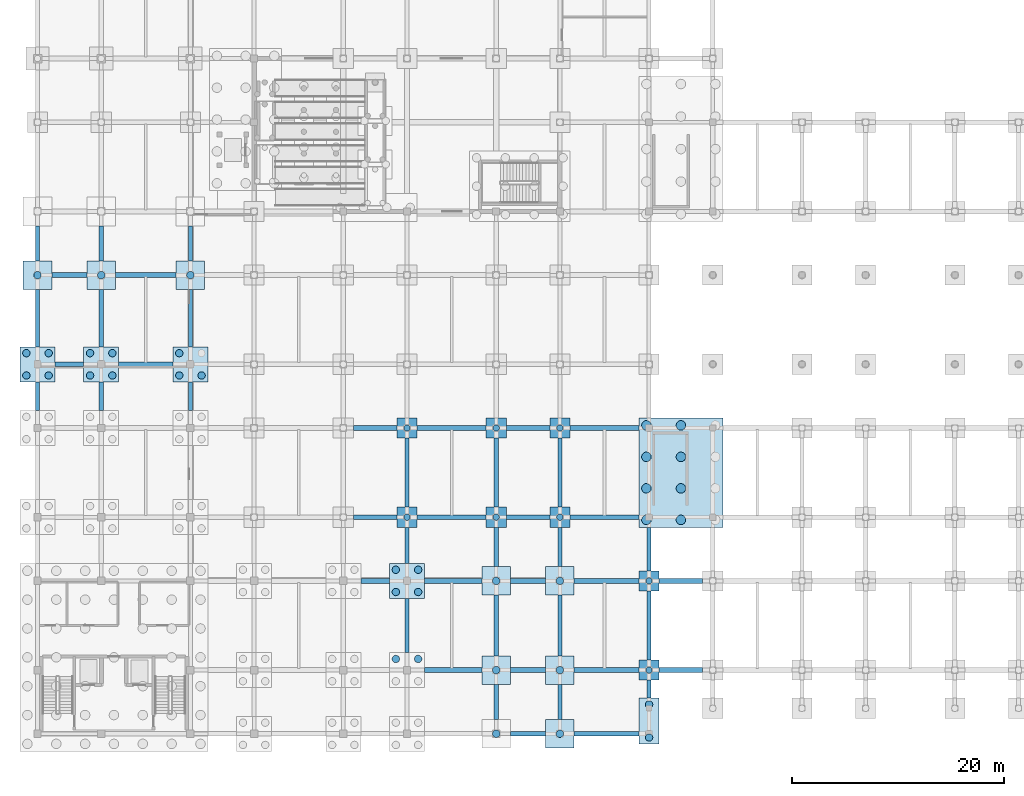
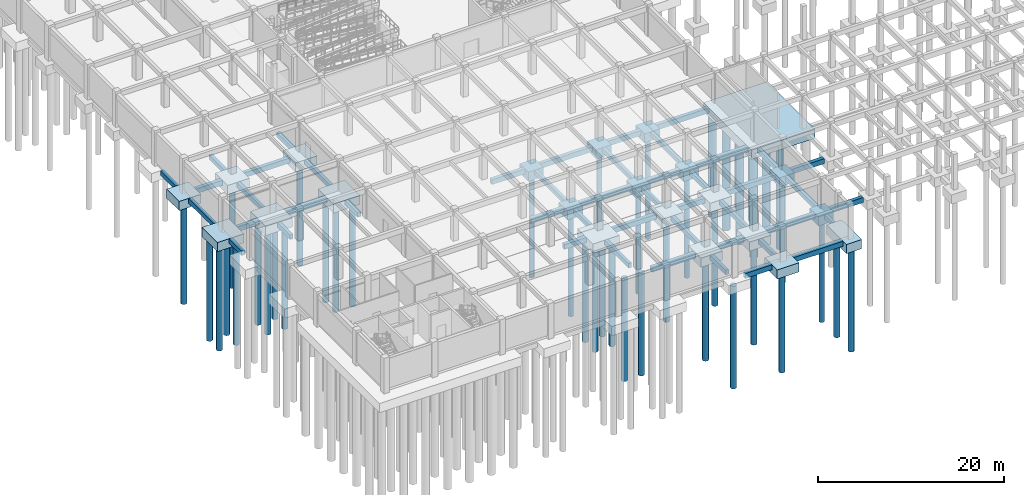
# One storey, part 2 of 40: 68 footings, 44 piles.
"""IFC4 building model written with IfcOpenShell, lengths in metres."""

from ifc_helpers import new_model, si_unit, direction, frame, origin, origin_2d, place, context, subcontext, project, spatial, rectangle, circle, extrude, material, material_profile, profile_set, type_object, element, save


model = new_model("IFC4")

# Units and contexts
model_context = context("Model", 3, precision=1e-05, world=origin(), true_north=direction((0.0, 1.0)))
body_context = subcontext(model_context, "Body", "Model", "MODEL_VIEW")
ifc_project = project(units=[si_unit("LENGTHUNIT", "METRE"), si_unit("AREAUNIT", "SQUARE_METRE"), si_unit("VOLUMEUNIT", "CUBIC_METRE"), si_unit("PLANEANGLEUNIT", "RADIAN"), si_unit("MASSUNIT", "GRAM", prefix="KILO"), si_unit("THERMODYNAMICTEMPERATUREUNIT", "KELVIN")], contexts=[model_context])

# Site, building, storey
site_placement = place(None, origin())
site = spatial("IfcSite", under=ifc_project, at=site_placement, CompositionType="ELEMENT")
building_placement = place(site_placement, origin())
building = spatial("IfcBuilding", under=site, at=building_placement, Name="Thalorik Housing Commons", CompositionType="ELEMENT")
storey_placement = place(building_placement, frame((0.0, 0.0, -4.199951171875)))
storey = spatial("IfcBuildingStorey", under=building, at=storey_placement, Name="B1", CompositionType="ELEMENT", Elevation=-4.199951171875)

# Footings
ifc_material = material(Name="Concrete C40/50", Category="concrete")
footing_type_1 = type_object("IfcFootingType", Name="STR-CAP-1900x1900", PredefinedType="PILE_CAP", material=ifc_material)
for number, where, z_axis, x_axis, name in (
    (1, (66.0, 14.39990234375, -1.64990234375), (0.0, 0.0, 1.0), (1.0, 0.0, 0.0), "B1 Pile Cap 26"),
    (2, (66.0, 22.800048828125, -1.64990234375), (0.0, 0.0, 1.0), (1.0, 0.0, 0.0), "B1 Pile Cap 43"),
    (3, (43.199951171875, 28.800048828125, -1.64990234375), (0.0, 0.0, 1.0), (1.0, 0.0, 0.0), "B1 Pile Cap 63"),
    (4, (51.60009765625, 28.800048828125, -1.64990234375), (0.0, 0.0, 1.0), (1.0, 0.0, 0.0), "B1 Pile Cap 64"),
    (5, (57.60009765625, 28.800048828125, -1.64990234375), (0.0, 0.0, 1.0), (1.0, 0.0, 0.0), "B1 Pile Cap 65"),
    (6, (43.199951171875, 37.199951171875, -1.64990234375), (0.0, 0.0, 1.0), (1.0, 0.0, 0.0), "B1 Pile Cap 88"),
    (7, (51.60009765625, 37.199951171875, -1.64990234375), (0.0, 0.0, 1.0), (1.0, 0.0, 0.0), "B1 Pile Cap 89"),
    (8, (57.60009765625, 37.199951171875, -1.64990234375), (0.0, 0.0, 1.0), (1.0, 0.0, 0.0), "B1 Pile Cap 90"),
):
    element("IfcFooting", number, at=place(storey_placement, frame(where, z_axis=z_axis, x_axis=x_axis)), inside=storey, type_object=footing_type_1, Name=name, PredefinedType="PILE_CAP", context=body_context, shape_type="SweptSolid", body=[
        extrude(rectangle(XDim=1.89990234375, YDim=1.89990234375, at=origin_2d()), origin(), (0.0, 0.0, 1.0), 1.199951171875),
    ])
footing_type_2 = type_object("IfcFootingType", Name="STR-CAP-1900x4300", PredefinedType="PILE_CAP", material=ifc_material)
footing_1_placement = place(storey_placement, frame((66.0, 9.60009765625, -1.64990234375), z_axis=(0.0, 0.0, 1.0), x_axis=(1.0, 0.0, 0.0)))
element("IfcFooting", 9, at=footing_1_placement, inside=storey, type_object=footing_type_2, Name="B1 Pile Cap 7", PredefinedType="PILE_CAP", context=body_context, shape_type="SweptSolid", body=[
    extrude(rectangle(XDim=1.89990234375, YDim=4.300048828125, at=origin_2d()), origin(), (0.0, 0.0, 1.0), 1.199951171875),
])
footing_type_3 = type_object("IfcFootingType", Name="STR-CAP-2700x2700", PredefinedType="PILE_CAP", material=ifc_material)
for number, where, z_axis, x_axis, name in (
    (10, (57.60009765625, 8.39990234375, -1.64990234375), (0.0, 0.0, 1.0), (1.0, 0.0, 0.0), "B1 Pile Cap 6"),
    (11, (51.60009765625, 14.39990234375, -1.64990234375), (0.0, 0.0, 1.0), (1.0, 0.0, 0.0), "B1 Pile Cap 24"),
    (12, (57.60009765625, 14.39990234375, -1.64990234375), (0.0, 0.0, 1.0), (1.0, 0.0, 0.0), "B1 Pile Cap 25"),
    (13, (51.60009765625, 22.800048828125, -1.64990234375), (0.0, 0.0, 1.0), (1.0, 0.0, 0.0), "B1 Pile Cap 41"),
    (14, (57.60009765625, 22.800048828125, -1.64990234375), (0.0, 0.0, 1.0), (1.0, 0.0, 0.0), "B1 Pile Cap 42"),
    (15, (8.39990234375, 51.60009765625, -1.64990234375), (0.0, 0.0, 1.0), (1.0, 0.0, 0.0), "B1 Pile Cap 110"),
    (16, (14.39990234375, 51.60009765625, -1.64990234375), (0.0, 0.0, 1.0), (1.0, 0.0, 0.0), "B1 Pile Cap 111"),
    (17, (22.800048828125, 51.60009765625, -1.64990234375), (0.0, 0.0, 1.0), (1.0, 0.0, 0.0), "B1 Pile Cap 112"),
):
    element("IfcFooting", number, at=place(storey_placement, frame(where, z_axis=z_axis, x_axis=x_axis)), inside=storey, type_object=footing_type_3, Name=name, PredefinedType="PILE_CAP", context=body_context, shape_type="SweptSolid", body=[
        extrude(rectangle(XDim=2.699951171875, YDim=2.699951171875, at=origin_2d()), origin(), (0.0, 0.0, 1.0), 1.199951171875),
    ])
footing_type_4 = type_object("IfcFootingType", Name="STR-CAP-3300x3300", PredefinedType="PILE_CAP", material=ifc_material)
for number, where, z_axis, x_axis, name in (
    (18, (43.199951171875, 22.800048828125, -1.64990234375), (0.0, 0.0, 1.0), (1.0, 0.0, 0.0), "B1 Pile Cap 40"),
    (19, (8.39990234375, 43.199951171875, -1.64990234375), (0.0, 0.0, 1.0), (1.0, 0.0, 0.0), "B1 Pile Cap 95"),
    (20, (14.39990234375, 43.199951171875, -1.64990234375), (0.0, 0.0, 1.0), (1.0, 0.0, 0.0), "B1 Pile Cap 96"),
    (21, (22.800048828125, 43.199951171875, -1.64990234375), (0.0, 0.0, 1.0), (1.0, 0.0, 0.0), "B1 Pile Cap 97"),
):
    element("IfcFooting", number, at=place(storey_placement, frame(where, z_axis=z_axis, x_axis=x_axis)), inside=storey, type_object=footing_type_4, Name=name, PredefinedType="PILE_CAP", context=body_context, shape_type="SweptSolid", body=[
        extrude(rectangle(XDim=3.300048828125, YDim=3.300048828125, at=origin_2d()), origin(), (0.0, 0.0, 1.0), 1.199951171875),
    ])
footing_type_5 = type_object("IfcFootingType", Name="STR-CAP-7900x10300", PredefinedType="PILE_CAP", material=ifc_material)
footing_2_placement = place(storey_placement, frame((69.0, 33.0, -1.64990234375), z_axis=(0.0, 0.0, 1.0), x_axis=(1.0, 0.0, 0.0)))
element("IfcFooting", 22, at=footing_2_placement, inside=storey, type_object=footing_type_5, Name="B1 Pile Cap 66", PredefinedType="PILE_CAP", context=body_context, shape_type="SweptSolid", body=[
    extrude(rectangle(XDim=7.89990234375, YDim=10.300048828125, at=origin_2d()), origin(), (0.0, 0.0, 1.0), 1.199951171875),
])
ifc_material_profile_1 = material_profile(ifc_material, rectangle(XDim=0.39990234375, YDim=0.60009765625, at=origin_2d()), Name="RC 400x600", Category="concrete")
ifc_profile_set_1 = profile_set([ifc_material_profile_1], Name="Concrete C40/50")
footing_type_6 = type_object("IfcFootingType", Name="STR-GB-400", PredefinedType="FOOTING_BEAM", material=ifc_profile_set_1)
footing_3_placement = place(storey_placement, frame((8.39990234375, 38.85009765625, -0.75), z_axis=(0.0, 1.0, 0.0), x_axis=(-1.0, 0.0, 0.0)))
element("IfcFooting", 23, at=footing_3_placement, inside=storey, type_object=footing_type_6, Name="B1 Ground Tie-Beam Y 265", PredefinedType="FOOTING_BEAM", context=body_context, shape_type="SweptSolid", body=[
    extrude(rectangle(XDim=0.39990234375, YDim=0.60009765625, at=origin_2d()), origin(), (0.0, 0.0, 1.0), 2.699951171875),
])
footing_4_placement = place(storey_placement, frame((8.39990234375, 44.85009765625, -0.75), z_axis=(0.0, 1.0, 0.0), x_axis=(-1.0, 0.0, 0.0)))
element("IfcFooting", 24, at=footing_4_placement, inside=storey, type_object=footing_type_6, Name="B1 Ground Tie-Beam Y 266", PredefinedType="FOOTING_BEAM", context=body_context, shape_type="SweptSolid", body=[
    extrude(rectangle(XDim=0.39990234375, YDim=0.60009765625, at=origin_2d()), origin(), (0.0, 0.0, 1.0), 5.39990234375),
])
footing_5_placement = place(storey_placement, frame((8.39990234375, 52.949951171875, -0.75), z_axis=(0.0, 1.0, 0.0), x_axis=(-1.0, 0.0, 0.0)))
element("IfcFooting", 25, at=footing_5_placement, inside=storey, type_object=footing_type_6, Name="B1 Ground Tie-Beam Y 267", PredefinedType="FOOTING_BEAM", context=body_context, shape_type="SweptSolid", body=[
    extrude(rectangle(XDim=0.39990234375, YDim=0.60009765625, at=origin_2d()), origin(), (0.0, 0.0, 1.0), 3.300048828125),
])
footing_6_placement = place(storey_placement, frame((14.39990234375, 38.85009765625, -0.75), z_axis=(0.0, 1.0, 0.0), x_axis=(-1.0, 0.0, 0.0)))
element("IfcFooting", 26, at=footing_6_placement, inside=storey, type_object=footing_type_6, Name="B1 Ground Tie-Beam Y 277", PredefinedType="FOOTING_BEAM", context=body_context, shape_type="SweptSolid", body=[
    extrude(rectangle(XDim=0.39990234375, YDim=0.60009765625, at=origin_2d()), origin(), (0.0, 0.0, 1.0), 2.699951171875),
])
footing_7_placement = place(storey_placement, frame((14.39990234375, 44.85009765625, -0.75), z_axis=(0.0, 1.0, 0.0), x_axis=(-1.0, 0.0, 0.0)))
element("IfcFooting", 27, at=footing_7_placement, inside=storey, type_object=footing_type_6, Name="B1 Ground Tie-Beam Y 278", PredefinedType="FOOTING_BEAM", context=body_context, shape_type="SweptSolid", body=[
    extrude(rectangle(XDim=0.39990234375, YDim=0.60009765625, at=origin_2d()), origin(), (0.0, 0.0, 1.0), 5.39990234375),
])
footing_8_placement = place(storey_placement, frame((14.39990234375, 52.949951171875, -0.75), z_axis=(0.0, 1.0, 0.0), x_axis=(-1.0, 0.0, 0.0)))
element("IfcFooting", 28, at=footing_8_placement, inside=storey, type_object=footing_type_6, Name="B1 Ground Tie-Beam Y 279", PredefinedType="FOOTING_BEAM", context=body_context, shape_type="SweptSolid", body=[
    extrude(rectangle(XDim=0.39990234375, YDim=0.60009765625, at=origin_2d()), origin(), (0.0, 0.0, 1.0), 3.300048828125),
])
footing_9_placement = place(storey_placement, frame((22.800048828125, 38.85009765625, -0.75), z_axis=(0.0, 1.0, 0.0), x_axis=(-1.0, 0.0, 0.0)))
element("IfcFooting", 29, at=footing_9_placement, inside=storey, type_object=footing_type_6, Name="B1 Ground Tie-Beam Y 289", PredefinedType="FOOTING_BEAM", context=body_context, shape_type="SweptSolid", body=[
    extrude(rectangle(XDim=0.39990234375, YDim=0.60009765625, at=origin_2d()), origin(), (0.0, 0.0, 1.0), 2.699951171875),
])
footing_10_placement = place(storey_placement, frame((22.800048828125, 44.85009765625, -0.75), z_axis=(0.0, 1.0, 0.0), x_axis=(-1.0, 0.0, 0.0)))
element("IfcFooting", 30, at=footing_10_placement, inside=storey, type_object=footing_type_6, Name="B1 Ground Tie-Beam Y 290", PredefinedType="FOOTING_BEAM", context=body_context, shape_type="SweptSolid", body=[
    extrude(rectangle(XDim=0.39990234375, YDim=0.60009765625, at=origin_2d()), origin(), (0.0, 0.0, 1.0), 5.39990234375),
])
footing_11_placement = place(storey_placement, frame((22.800048828125, 52.949951171875, -0.75), z_axis=(0.0, 1.0, 0.0), x_axis=(-1.0, 0.0, 0.0)))
element("IfcFooting", 31, at=footing_11_placement, inside=storey, type_object=footing_type_6, Name="B1 Ground Tie-Beam Y 291", PredefinedType="FOOTING_BEAM", context=body_context, shape_type="SweptSolid", body=[
    extrude(rectangle(XDim=0.39990234375, YDim=0.60009765625, at=origin_2d()), origin(), (0.0, 0.0, 1.0), 3.300048828125),
])
footing_12_placement = place(storey_placement, frame((43.199951171875, 16.050048828125, -0.75), z_axis=(0.0, 1.0, 0.0), x_axis=(-1.0, 0.0, 0.0)))
element("IfcFooting", 32, at=footing_12_placement, inside=storey, type_object=footing_type_6, Name="B1 Ground Tie-Beam Y 330", PredefinedType="FOOTING_BEAM", context=body_context, shape_type="SweptSolid", body=[
    extrude(rectangle(XDim=0.39990234375, YDim=0.60009765625, at=origin_2d()), origin(), (0.0, 0.0, 1.0), 5.099853515625),
])
footing_13_placement = place(storey_placement, frame((43.199951171875, 24.449951171875, -0.75), z_axis=(0.0, 1.0, 0.0), x_axis=(-1.0, 0.0, 0.0)))
element("IfcFooting", 33, at=footing_13_placement, inside=storey, type_object=footing_type_6, Name="B1 Ground Tie-Beam Y 331", PredefinedType="FOOTING_BEAM", context=body_context, shape_type="SweptSolid", body=[
    extrude(rectangle(XDim=0.39990234375, YDim=0.60009765625, at=origin_2d()), origin(), (0.0, 0.0, 1.0), 3.400146484375),
])
footing_14_placement = place(storey_placement, frame((43.199951171875, 29.75, -0.75), z_axis=(0.0, 1.0, 0.0), x_axis=(-1.0, 0.0, 0.0)))
element("IfcFooting", 34, at=footing_14_placement, inside=storey, type_object=footing_type_6, Name="B1 Ground Tie-Beam Y 332", PredefinedType="FOOTING_BEAM", context=body_context, shape_type="SweptSolid", body=[
    extrude(rectangle(XDim=0.39990234375, YDim=0.60009765625, at=origin_2d()), origin(), (0.0, 0.0, 1.0), 6.5),
])
footing_15_placement = place(storey_placement, frame((51.60009765625, 9.75, -0.75), z_axis=(0.0, 1.0, 0.0), x_axis=(-1.0, 0.0, 0.0)))
element("IfcFooting", 35, at=footing_15_placement, inside=storey, type_object=footing_type_6, Name="B1 Ground Tie-Beam Y 344", PredefinedType="FOOTING_BEAM", context=body_context, shape_type="SweptSolid", body=[
    extrude(rectangle(XDim=0.39990234375, YDim=0.60009765625, at=origin_2d()), origin(), (0.0, 0.0, 1.0), 3.300048828125),
])
footing_16_placement = place(storey_placement, frame((51.60009765625, 15.75, -0.75), z_axis=(0.0, 1.0, 0.0), x_axis=(-1.0, 0.0, 0.0)))
element("IfcFooting", 36, at=footing_16_placement, inside=storey, type_object=footing_type_6, Name="B1 Ground Tie-Beam Y 345", PredefinedType="FOOTING_BEAM", context=body_context, shape_type="SweptSolid", body=[
    extrude(rectangle(XDim=0.39990234375, YDim=0.60009765625, at=origin_2d()), origin(), (0.0, 0.0, 1.0), 5.699951171875),
])
footing_17_placement = place(storey_placement, frame((51.60009765625, 24.14990234375, -0.75), z_axis=(0.0, 1.0, 0.0), x_axis=(-1.0, 0.0, 0.0)))
element("IfcFooting", 37, at=footing_17_placement, inside=storey, type_object=footing_type_6, Name="B1 Ground Tie-Beam Y 346", PredefinedType="FOOTING_BEAM", context=body_context, shape_type="SweptSolid", body=[
    extrude(rectangle(XDim=0.39990234375, YDim=0.60009765625, at=origin_2d()), origin(), (0.0, 0.0, 1.0), 3.7001953125),
])
footing_18_placement = place(storey_placement, frame((51.60009765625, 29.75, -0.75), z_axis=(0.0, 1.0, 0.0), x_axis=(-1.0, 0.0, 0.0)))
element("IfcFooting", 38, at=footing_18_placement, inside=storey, type_object=footing_type_6, Name="B1 Ground Tie-Beam Y 347", PredefinedType="FOOTING_BEAM", context=body_context, shape_type="SweptSolid", body=[
    extrude(rectangle(XDim=0.39990234375, YDim=0.60009765625, at=origin_2d()), origin(), (0.0, 0.0, 1.0), 6.5),
])
footing_19_placement = place(storey_placement, frame((57.60009765625, 9.75, -0.75), z_axis=(0.0, 1.0, 0.0), x_axis=(-1.0, 0.0, 0.0)))
element("IfcFooting", 39, at=footing_19_placement, inside=storey, type_object=footing_type_6, Name="B1 Ground Tie-Beam Y 359", PredefinedType="FOOTING_BEAM", context=body_context, shape_type="SweptSolid", body=[
    extrude(rectangle(XDim=0.39990234375, YDim=0.60009765625, at=origin_2d()), origin(), (0.0, 0.0, 1.0), 3.300048828125),
])
footing_20_placement = place(storey_placement, frame((57.60009765625, 15.75, -0.75), z_axis=(0.0, 1.0, 0.0), x_axis=(-1.0, 0.0, 0.0)))
element("IfcFooting", 40, at=footing_20_placement, inside=storey, type_object=footing_type_6, Name="B1 Ground Tie-Beam Y 360", PredefinedType="FOOTING_BEAM", context=body_context, shape_type="SweptSolid", body=[
    extrude(rectangle(XDim=0.39990234375, YDim=0.60009765625, at=origin_2d()), origin(), (0.0, 0.0, 1.0), 5.699951171875),
])
footing_21_placement = place(storey_placement, frame((57.60009765625, 24.14990234375, -0.75), z_axis=(0.0, 1.0, 0.0), x_axis=(-1.0, 0.0, 0.0)))
element("IfcFooting", 41, at=footing_21_placement, inside=storey, type_object=footing_type_6, Name="B1 Ground Tie-Beam Y 361", PredefinedType="FOOTING_BEAM", context=body_context, shape_type="SweptSolid", body=[
    extrude(rectangle(XDim=0.39990234375, YDim=0.60009765625, at=origin_2d()), origin(), (0.0, 0.0, 1.0), 3.7001953125),
])
footing_22_placement = place(storey_placement, frame((57.60009765625, 29.75, -0.75), z_axis=(0.0, 1.0, 0.0), x_axis=(-1.0, 0.0, 0.0)))
element("IfcFooting", 42, at=footing_22_placement, inside=storey, type_object=footing_type_6, Name="B1 Ground Tie-Beam Y 362", PredefinedType="FOOTING_BEAM", context=body_context, shape_type="SweptSolid", body=[
    extrude(rectangle(XDim=0.39990234375, YDim=0.60009765625, at=origin_2d()), origin(), (0.0, 0.0, 1.0), 6.5),
])
footing_23_placement = place(storey_placement, frame((66.0, 11.75, -0.75), z_axis=(0.0, 1.0, 0.0), x_axis=(-1.0, 0.0, 0.0)))
element("IfcFooting", 43, at=footing_23_placement, inside=storey, type_object=footing_type_6, Name="B1 Ground Tie-Beam Y 375", PredefinedType="FOOTING_BEAM", context=body_context, shape_type="SweptSolid", body=[
    extrude(rectangle(XDim=0.39990234375, YDim=0.60009765625, at=origin_2d()), origin(), (0.0, 0.0, 1.0), 1.699951171875),
])
footing_24_placement = place(storey_placement, frame((66.0, 15.35009765625, -0.75), z_axis=(0.0, 1.0, 0.0), x_axis=(-1.0, 0.0, 0.0)))
element("IfcFooting", 44, at=footing_24_placement, inside=storey, type_object=footing_type_6, Name="B1 Ground Tie-Beam Y 376", PredefinedType="FOOTING_BEAM", context=body_context, shape_type="SweptSolid", body=[
    extrude(rectangle(XDim=0.39990234375, YDim=0.60009765625, at=origin_2d()), origin(), (0.0, 0.0, 1.0), 6.5),
])
footing_25_placement = place(storey_placement, frame((66.0, 23.75, -0.75), z_axis=(0.0, 1.0, 0.0), x_axis=(-1.0, 0.0, 0.0)))
element("IfcFooting", 45, at=footing_25_placement, inside=storey, type_object=footing_type_6, Name="B1 Ground Tie-Beam Y 377", PredefinedType="FOOTING_BEAM", context=body_context, shape_type="SweptSolid", body=[
    extrude(rectangle(XDim=0.39990234375, YDim=0.60009765625, at=origin_2d()), origin(), (0.0, 0.0, 1.0), 4.10009765625),
])
ifc_material_profile_2 = material_profile(ifc_material, rectangle(XDim=0.449951171875, YDim=0.64990234375, at=origin_2d()), Name="RC 450x650", Category="concrete")
ifc_profile_set_2 = profile_set([ifc_material_profile_2], Name="Concrete C40/50")
footing_type_7 = type_object("IfcFootingType", Name="STR-GB-500", PredefinedType="FOOTING_BEAM", material=ifc_profile_set_2)
footing_26_placement = place(storey_placement, frame((52.949951171875, 8.39990234375, -0.775146484375), z_axis=(1.0, 0.0, 0.0), x_axis=(0.0, 1.0, 0.0)))
element("IfcFooting", 46, at=footing_26_placement, inside=storey, type_object=footing_type_7, Name="B1 Ground Tie-Beam X 5", PredefinedType="FOOTING_BEAM", context=body_context, shape_type="SweptSolid", body=[
    extrude(rectangle(XDim=0.449951171875, YDim=0.64990234375, at=origin_2d()), origin(), (0.0, 0.0, 1.0), 3.300048828125),
])
footing_27_placement = place(storey_placement, frame((58.949951171875, 8.39990234375, -0.775146484375), z_axis=(1.0, 0.0, 0.0), x_axis=(0.0, 1.0, 0.0)))
element("IfcFooting", 47, at=footing_27_placement, inside=storey, type_object=footing_type_7, Name="B1 Ground Tie-Beam X 6", PredefinedType="FOOTING_BEAM", context=body_context, shape_type="SweptSolid", body=[
    extrude(rectangle(XDim=0.449951171875, YDim=0.64990234375, at=origin_2d()), origin(), (0.0, 0.0, 1.0), 6.10009765625),
])
footing_28_placement = place(storey_placement, frame((44.85009765625, 14.39990234375, -0.775146484375), z_axis=(1.0, 0.0, 0.0), x_axis=(0.0, 1.0, 0.0)))
element("IfcFooting", 48, at=footing_28_placement, inside=storey, type_object=footing_type_7, Name="B1 Ground Tie-Beam X 15", PredefinedType="FOOTING_BEAM", context=body_context, shape_type="SweptSolid", body=[
    extrude(rectangle(XDim=0.449951171875, YDim=0.64990234375, at=origin_2d()), origin(), (0.0, 0.0, 1.0), 5.39990234375),
])
footing_29_placement = place(storey_placement, frame((52.949951171875, 14.39990234375, -0.775146484375), z_axis=(1.0, 0.0, 0.0), x_axis=(0.0, 1.0, 0.0)))
element("IfcFooting", 49, at=footing_29_placement, inside=storey, type_object=footing_type_7, Name="B1 Ground Tie-Beam X 16", PredefinedType="FOOTING_BEAM", context=body_context, shape_type="SweptSolid", body=[
    extrude(rectangle(XDim=0.449951171875, YDim=0.64990234375, at=origin_2d()), origin(), (0.0, 0.0, 1.0), 3.300048828125),
])
footing_30_placement = place(storey_placement, frame((58.949951171875, 14.39990234375, -0.775146484375), z_axis=(1.0, 0.0, 0.0), x_axis=(0.0, 1.0, 0.0)))
element("IfcFooting", 50, at=footing_30_placement, inside=storey, type_object=footing_type_7, Name="B1 Ground Tie-Beam X 17", PredefinedType="FOOTING_BEAM", context=body_context, shape_type="SweptSolid", body=[
    extrude(rectangle(XDim=0.449951171875, YDim=0.64990234375, at=origin_2d()), origin(), (0.0, 0.0, 1.0), 6.10009765625),
])
footing_31_placement = place(storey_placement, frame((66.949951171875, 14.39990234375, -0.775146484375), z_axis=(1.0, 0.0, 0.0), x_axis=(0.0, 1.0, 0.0)))
element("IfcFooting", 51, at=footing_31_placement, inside=storey, type_object=footing_type_7, Name="B1 Ground Tie-Beam X 18", PredefinedType="FOOTING_BEAM", context=body_context, shape_type="SweptSolid", body=[
    extrude(rectangle(XDim=0.449951171875, YDim=0.64990234375, at=origin_2d()), origin(), (0.0, 0.0, 1.0), 4.10009765625),
])
footing_32_placement = place(storey_placement, frame((38.85009765625, 22.800048828125, -0.775146484375), z_axis=(1.0, 0.0, 0.0), x_axis=(0.0, 1.0, 0.0)))
element("IfcFooting", 52, at=footing_32_placement, inside=storey, type_object=footing_type_7, Name="B1 Ground Tie-Beam X 33", PredefinedType="FOOTING_BEAM", context=body_context, shape_type="SweptSolid", body=[
    extrude(rectangle(XDim=0.449951171875, YDim=0.64990234375, at=origin_2d()), origin(), (0.0, 0.0, 1.0), 2.699951171875),
])
footing_33_placement = place(storey_placement, frame((44.85009765625, 22.800048828125, -0.775146484375), z_axis=(1.0, 0.0, 0.0), x_axis=(0.0, 1.0, 0.0)))
element("IfcFooting", 53, at=footing_33_placement, inside=storey, type_object=footing_type_7, Name="B1 Ground Tie-Beam X 34", PredefinedType="FOOTING_BEAM", context=body_context, shape_type="SweptSolid", body=[
    extrude(rectangle(XDim=0.449951171875, YDim=0.64990234375, at=origin_2d()), origin(), (0.0, 0.0, 1.0), 5.39990234375),
])
footing_34_placement = place(storey_placement, frame((52.949951171875, 22.800048828125, -0.775146484375), z_axis=(1.0, 0.0, 0.0), x_axis=(0.0, 1.0, 0.0)))
element("IfcFooting", 54, at=footing_34_placement, inside=storey, type_object=footing_type_7, Name="B1 Ground Tie-Beam X 35", PredefinedType="FOOTING_BEAM", context=body_context, shape_type="SweptSolid", body=[
    extrude(rectangle(XDim=0.449951171875, YDim=0.64990234375, at=origin_2d()), origin(), (0.0, 0.0, 1.0), 3.300048828125),
])
footing_35_placement = place(storey_placement, frame((58.949951171875, 22.800048828125, -0.775146484375), z_axis=(1.0, 0.0, 0.0), x_axis=(0.0, 1.0, 0.0)))
element("IfcFooting", 55, at=footing_35_placement, inside=storey, type_object=footing_type_7, Name="B1 Ground Tie-Beam X 36", PredefinedType="FOOTING_BEAM", context=body_context, shape_type="SweptSolid", body=[
    extrude(rectangle(XDim=0.449951171875, YDim=0.64990234375, at=origin_2d()), origin(), (0.0, 0.0, 1.0), 6.10009765625),
])
for number, where, z_axis, x_axis, name in (
    (56, (66.949951171875, 22.800048828125, -0.775146484375), (1.0, 0.0, 0.0), (0.0, 1.0, 0.0), "B1 Ground Tie-Beam X 37"),
    (57, (38.14990234375, 28.800048828125, -0.775146484375), (1.0, 0.0, 0.0), (0.0, 1.0, 0.0), "B1 Ground Tie-Beam X 55"),
):
    element("IfcFooting", number, at=place(storey_placement, frame(where, z_axis=z_axis, x_axis=x_axis)), inside=storey, type_object=footing_type_7, Name=name, PredefinedType="FOOTING_BEAM", context=body_context, shape_type="SweptSolid", body=[
        extrude(rectangle(XDim=0.449951171875, YDim=0.64990234375, at=origin_2d()), origin(), (0.0, 0.0, 1.0), 4.10009765625),
    ])
footing_36_placement = place(storey_placement, frame((44.14990234375, 28.800048828125, -0.775146484375), z_axis=(1.0, 0.0, 0.0), x_axis=(0.0, 1.0, 0.0)))
element("IfcFooting", 58, at=footing_36_placement, inside=storey, type_object=footing_type_7, Name="B1 Ground Tie-Beam X 56", PredefinedType="FOOTING_BEAM", context=body_context, shape_type="SweptSolid", body=[
    extrude(rectangle(XDim=0.449951171875, YDim=0.64990234375, at=origin_2d()), origin(), (0.0, 0.0, 1.0), 6.5),
])
footing_37_placement = place(storey_placement, frame((52.550048828125, 28.800048828125, -0.775146484375), z_axis=(1.0, 0.0, 0.0), x_axis=(0.0, 1.0, 0.0)))
element("IfcFooting", 59, at=footing_37_placement, inside=storey, type_object=footing_type_7, Name="B1 Ground Tie-Beam X 57", PredefinedType="FOOTING_BEAM", context=body_context, shape_type="SweptSolid", body=[
    extrude(rectangle(XDim=0.449951171875, YDim=0.64990234375, at=origin_2d()), origin(), (0.0, 0.0, 1.0), 4.099853515625),
])
footing_38_placement = place(storey_placement, frame((58.550048828125, 28.800048828125, -0.775146484375), z_axis=(1.0, 0.0, 0.0), x_axis=(0.0, 1.0, 0.0)))
element("IfcFooting", 60, at=footing_38_placement, inside=storey, type_object=footing_type_7, Name="B1 Ground Tie-Beam X 58", PredefinedType="FOOTING_BEAM", context=body_context, shape_type="SweptSolid", body=[
    extrude(rectangle(XDim=0.449951171875, YDim=0.64990234375, at=origin_2d()), origin(), (0.0, 0.0, 1.0), 6.5),
])
footing_39_placement = place(storey_placement, frame((38.14990234375, 37.199951171875, -0.775146484375), z_axis=(1.0, 0.0, 0.0), x_axis=(0.0, 1.0, 0.0)))
element("IfcFooting", 61, at=footing_39_placement, inside=storey, type_object=footing_type_7, Name="B1 Ground Tie-Beam X 75", PredefinedType="FOOTING_BEAM", context=body_context, shape_type="SweptSolid", body=[
    extrude(rectangle(XDim=0.449951171875, YDim=0.64990234375, at=origin_2d()), origin(), (0.0, 0.0, 1.0), 4.10009765625),
])
footing_40_placement = place(storey_placement, frame((44.14990234375, 37.199951171875, -0.775146484375), z_axis=(1.0, 0.0, 0.0), x_axis=(0.0, 1.0, 0.0)))
element("IfcFooting", 62, at=footing_40_placement, inside=storey, type_object=footing_type_7, Name="B1 Ground Tie-Beam X 76", PredefinedType="FOOTING_BEAM", context=body_context, shape_type="SweptSolid", body=[
    extrude(rectangle(XDim=0.449951171875, YDim=0.64990234375, at=origin_2d()), origin(), (0.0, 0.0, 1.0), 6.5),
])
footing_41_placement = place(storey_placement, frame((52.550048828125, 37.199951171875, -0.775146484375), z_axis=(1.0, 0.0, 0.0), x_axis=(0.0, 1.0, 0.0)))
element("IfcFooting", 63, at=footing_41_placement, inside=storey, type_object=footing_type_7, Name="B1 Ground Tie-Beam X 77", PredefinedType="FOOTING_BEAM", context=body_context, shape_type="SweptSolid", body=[
    extrude(rectangle(XDim=0.449951171875, YDim=0.64990234375, at=origin_2d()), origin(), (0.0, 0.0, 1.0), 4.099853515625),
])
footing_42_placement = place(storey_placement, frame((58.550048828125, 37.199951171875, -0.775146484375), z_axis=(1.0, 0.0, 0.0), x_axis=(0.0, 1.0, 0.0)))
element("IfcFooting", 64, at=footing_42_placement, inside=storey, type_object=footing_type_7, Name="B1 Ground Tie-Beam X 78", PredefinedType="FOOTING_BEAM", context=body_context, shape_type="SweptSolid", body=[
    extrude(rectangle(XDim=0.449951171875, YDim=0.64990234375, at=origin_2d()), origin(), (0.0, 0.0, 1.0), 6.5),
])
footing_43_placement = place(storey_placement, frame((10.050048828125, 43.199951171875, -0.775146484375), z_axis=(1.0, 0.0, 0.0), x_axis=(0.0, 1.0, 0.0)))
element("IfcFooting", 65, at=footing_43_placement, inside=storey, type_object=footing_type_7, Name="B1 Ground Tie-Beam X 87", PredefinedType="FOOTING_BEAM", context=body_context, shape_type="SweptSolid", body=[
    extrude(rectangle(XDim=0.449951171875, YDim=0.64990234375, at=origin_2d()), origin(), (0.0, 0.0, 1.0), 2.699951171875),
])
footing_44_placement = place(storey_placement, frame((16.050048828125, 43.199951171875, -0.775146484375), z_axis=(1.0, 0.0, 0.0), x_axis=(0.0, 1.0, 0.0)))
element("IfcFooting", 66, at=footing_44_placement, inside=storey, type_object=footing_type_7, Name="B1 Ground Tie-Beam X 88", PredefinedType="FOOTING_BEAM", context=body_context, shape_type="SweptSolid", body=[
    extrude(rectangle(XDim=0.449951171875, YDim=0.64990234375, at=origin_2d()), origin(), (0.0, 0.0, 1.0), 5.099853515625),
])
footing_45_placement = place(storey_placement, frame((9.75, 51.60009765625, -0.775146484375), z_axis=(1.0, 0.0, 0.0), x_axis=(0.0, 1.0, 0.0)))
element("IfcFooting", 67, at=footing_45_placement, inside=storey, type_object=footing_type_7, Name="B1 Ground Tie-Beam X 100", PredefinedType="FOOTING_BEAM", context=body_context, shape_type="SweptSolid", body=[
    extrude(rectangle(XDim=0.449951171875, YDim=0.64990234375, at=origin_2d()), origin(), (0.0, 0.0, 1.0), 3.300048828125),
])
footing_46_placement = place(storey_placement, frame((15.75, 51.60009765625, -0.775146484375), z_axis=(1.0, 0.0, 0.0), x_axis=(0.0, 1.0, 0.0)))
element("IfcFooting", 68, at=footing_46_placement, inside=storey, type_object=footing_type_7, Name="B1 Ground Tie-Beam X 101", PredefinedType="FOOTING_BEAM", context=body_context, shape_type="SweptSolid", body=[
    extrude(rectangle(XDim=0.449951171875, YDim=0.64990234375, at=origin_2d()), origin(), (0.0, 0.0, 1.0), 5.699951171875),
])

# Piles
ifc_material_profile_3 = material_profile(ifc_material, circle(Radius=0.300048828125, at=origin_2d()), Name="BORED PILE D600", Category="concrete")
ifc_profile_set_3 = profile_set([ifc_material_profile_3], Name="Concrete C40/50")
pile_type_1 = type_object("IfcPileType", Name="STR-PILE-D600", PredefinedType="BORED", material=ifc_profile_set_3)
for number, where, z_axis, x_axis, name in (
    (69, (66.0, 14.39990234375, -1.550048828125), (0.0, 0.0, -1.0), (1.0, 0.0, 0.0), "B1 Bored Pile 111"),
    (70, (66.0, 22.800048828125, -1.550048828125), (0.0, 0.0, -1.0), (1.0, 0.0, 0.0), "B1 Bored Pile 137"),
    (71, (43.199951171875, 28.800048828125, -1.550048828125), (0.0, 0.0, -1.0), (1.0, 0.0, 0.0), "B1 Bored Pile 166"),
    (72, (51.60009765625, 28.800048828125, -1.550048828125), (0.0, 0.0, -1.0), (1.0, 0.0, 0.0), "B1 Bored Pile 167"),
    (73, (57.60009765625, 28.800048828125, -1.550048828125), (0.0, 0.0, -1.0), (1.0, 0.0, 0.0), "B1 Bored Pile 168"),
    (74, (43.199951171875, 37.199951171875, -1.550048828125), (0.0, 0.0, -1.0), (1.0, 0.0, 0.0), "B1 Bored Pile 222"),
    (75, (51.60009765625, 37.199951171875, -1.550048828125), (0.0, 0.0, -1.0), (1.0, 0.0, 0.0), "B1 Bored Pile 223"),
    (76, (57.60009765625, 37.199951171875, -1.550048828125), (0.0, 0.0, -1.0), (1.0, 0.0, 0.0), "B1 Bored Pile 224"),
):
    element("IfcPile", number, at=place(storey_placement, frame(where, z_axis=z_axis, x_axis=x_axis)), inside=storey, type_object=pile_type_1, Name=name, PredefinedType="BORED", context=body_context, shape_type="SweptSolid", body=[
        extrude(circle(Radius=0.300048828125, at=origin_2d()), origin(), (0.0, 0.0, 1.0), 13.449951171875),
    ])
ifc_material_profile_4 = material_profile(ifc_material, circle(Radius=0.35009765625, at=origin_2d()), Name="BORED PILE D700", Category="concrete")
ifc_profile_set_4 = profile_set([ifc_material_profile_4], Name="Concrete C40/50")
pile_type_2 = type_object("IfcPileType", Name="STR-PILE-D700", PredefinedType="BORED", material=ifc_profile_set_4)
for number, where, z_axis, x_axis, name in (
    (77, (51.60009765625, 8.39990234375, -1.550048828125), (0.0, 0.0, -1.0), (1.0, 0.0, 0.0), "B1 Bored Pile 58"),
    (78, (57.60009765625, 8.39990234375, -1.550048828125), (0.0, 0.0, -1.0), (1.0, 0.0, 0.0), "B1 Bored Pile 59"),
    (79, (66.0, 8.050048828125, -1.550048828125), (0.0, 0.0, -1.0), (1.0, 0.0, 0.0), "B1 Bored Pile 60"),
    (80, (66.0, 11.14990234375, -1.550048828125), (0.0, 0.0, -1.0), (1.0, 0.0, 0.0), "B1 Bored Pile 61"),
    (81, (42.14990234375, 15.449951171875, -1.550048828125), (0.0, 0.0, -1.0), (1.0, 0.0, 0.0), "B1 Bored Pile 106"),
    (82, (44.25, 15.449951171875, -1.550048828125), (0.0, 0.0, -1.0), (1.0, 0.0, 0.0), "B1 Bored Pile 108"),
    (83, (51.60009765625, 14.39990234375, -1.550048828125), (0.0, 0.0, -1.0), (1.0, 0.0, 0.0), "B1 Bored Pile 109"),
    (84, (57.60009765625, 14.39990234375, -1.550048828125), (0.0, 0.0, -1.0), (1.0, 0.0, 0.0), "B1 Bored Pile 110"),
    (85, (42.14990234375, 21.75, -1.550048828125), (0.0, 0.0, -1.0), (1.0, 0.0, 0.0), "B1 Bored Pile 131"),
    (86, (42.14990234375, 23.85009765625, -1.550048828125), (0.0, 0.0, -1.0), (1.0, 0.0, 0.0), "B1 Bored Pile 132"),
    (87, (44.25, 21.75, -1.550048828125), (0.0, 0.0, -1.0), (1.0, 0.0, 0.0), "B1 Bored Pile 133"),
    (88, (44.25, 23.85009765625, -1.550048828125), (0.0, 0.0, -1.0), (1.0, 0.0, 0.0), "B1 Bored Pile 134"),
    (89, (51.60009765625, 22.800048828125, -1.550048828125), (0.0, 0.0, -1.0), (1.0, 0.0, 0.0), "B1 Bored Pile 135"),
    (90, (57.60009765625, 22.800048828125, -1.550048828125), (0.0, 0.0, -1.0), (1.0, 0.0, 0.0), "B1 Bored Pile 136"),
    (91, (7.35009765625, 42.14990234375, -1.550048828125), (0.0, 0.0, -1.0), (1.0, 0.0, 0.0), "B1 Bored Pile 229"),
    (92, (7.35009765625, 44.25, -1.550048828125), (0.0, 0.0, -1.0), (1.0, 0.0, 0.0), "B1 Bored Pile 230"),
    (93, (9.449951171875, 42.14990234375, -1.550048828125), (0.0, 0.0, -1.0), (1.0, 0.0, 0.0), "B1 Bored Pile 231"),
    (94, (9.449951171875, 44.25, -1.550048828125), (0.0, 0.0, -1.0), (1.0, 0.0, 0.0), "B1 Bored Pile 232"),
    (95, (13.35009765625, 42.14990234375, -1.550048828125), (0.0, 0.0, -1.0), (1.0, 0.0, 0.0), "B1 Bored Pile 233"),
    (96, (13.35009765625, 44.25, -1.550048828125), (0.0, 0.0, -1.0), (1.0, 0.0, 0.0), "B1 Bored Pile 234"),
    (97, (15.449951171875, 42.14990234375, -1.550048828125), (0.0, 0.0, -1.0), (1.0, 0.0, 0.0), "B1 Bored Pile 235"),
    (98, (15.449951171875, 44.25, -1.550048828125), (0.0, 0.0, -1.0), (1.0, 0.0, 0.0), "B1 Bored Pile 236"),
    (99, (21.75, 42.14990234375, -1.550048828125), (0.0, 0.0, -1.0), (1.0, 0.0, 0.0), "B1 Bored Pile 237"),
    (100, (21.75, 44.25, -1.550048828125), (0.0, 0.0, -1.0), (1.0, 0.0, 0.0), "B1 Bored Pile 238"),
    (101, (23.85009765625, 42.14990234375, -1.550048828125), (0.0, 0.0, -1.0), (1.0, 0.0, 0.0), "B1 Bored Pile 239"),
    (102, (8.39990234375, 51.60009765625, -1.550048828125), (0.0, 0.0, -1.0), (1.0, 0.0, 0.0), "B1 Bored Pile 253"),
    (103, (14.39990234375, 51.60009765625, -1.550048828125), (0.0, 0.0, -1.0), (1.0, 0.0, 0.0), "B1 Bored Pile 254"),
    (104, (22.800048828125, 51.60009765625, -1.550048828125), (0.0, 0.0, -1.0), (1.0, 0.0, 0.0), "B1 Bored Pile 255"),
):
    element("IfcPile", number, at=place(storey_placement, frame(where, z_axis=z_axis, x_axis=x_axis)), inside=storey, type_object=pile_type_2, Name=name, PredefinedType="BORED", context=body_context, shape_type="SweptSolid", body=[
        extrude(circle(Radius=0.35009765625, at=origin_2d()), origin(), (0.0, 0.0, 1.0), 13.449951171875),
    ])
ifc_material_profile_5 = material_profile(ifc_material, circle(Radius=0.449951171875, at=origin_2d()), Name="BORED PILE D900", Category="concrete")
ifc_profile_set_5 = profile_set([ifc_material_profile_5], Name="Concrete C40/50")
pile_type_3 = type_object("IfcPileType", Name="STR-PILE-D900", PredefinedType="BORED", material=ifc_profile_set_5)
for number, where, z_axis, x_axis, name in (
    (105, (65.75, 28.550048828125, -1.550048828125), (0.0, 0.0, -1.0), (1.0, 0.0, 0.0), "B1 Bored Pile 169"),
    (106, (65.75, 31.5166015625, -1.550048828125), (0.0, 0.0, -1.0), (1.0, 0.0, 0.0), "B1 Bored Pile 170"),
    (107, (65.75, 34.4833984375, -1.550048828125), (0.0, 0.0, -1.0), (1.0, 0.0, 0.0), "B1 Bored Pile 171"),
    (108, (65.75, 37.449951171875, -1.550048828125), (0.0, 0.0, -1.0), (1.0, 0.0, 0.0), "B1 Bored Pile 172"),
    (109, (69.0, 28.550048828125, -1.550048828125), (0.0, 0.0, -1.0), (1.0, 0.0, 0.0), "B1 Bored Pile 173"),
    (110, (69.0, 31.5166015625, -1.550048828125), (0.0, 0.0, -1.0), (1.0, 0.0, 0.0), "B1 Bored Pile 174"),
    (111, (69.0, 34.4833984375, -1.550048828125), (0.0, 0.0, -1.0), (1.0, 0.0, 0.0), "B1 Bored Pile 175"),
    (112, (69.0, 37.449951171875, -1.550048828125), (0.0, 0.0, -1.0), (1.0, 0.0, 0.0), "B1 Bored Pile 176"),
):
    element("IfcPile", number, at=place(storey_placement, frame(where, z_axis=z_axis, x_axis=x_axis)), inside=storey, type_object=pile_type_3, Name=name, PredefinedType="BORED", context=body_context, shape_type="SweptSolid", body=[
        extrude(circle(Radius=0.449951171875, at=origin_2d()), origin(), (0.0, 0.0, 1.0), 13.449951171875),
    ])

save(model, "model.ifc")
